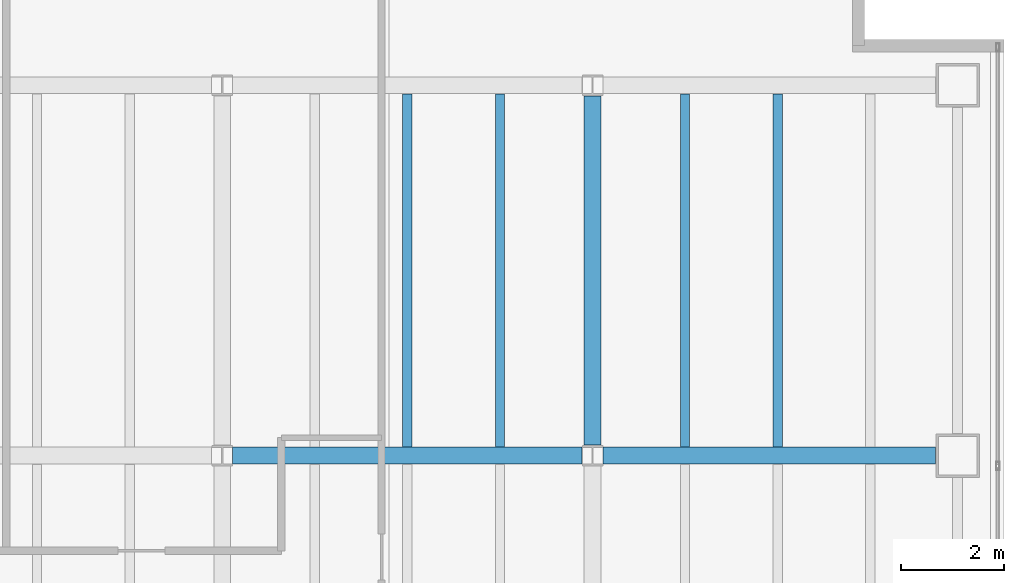
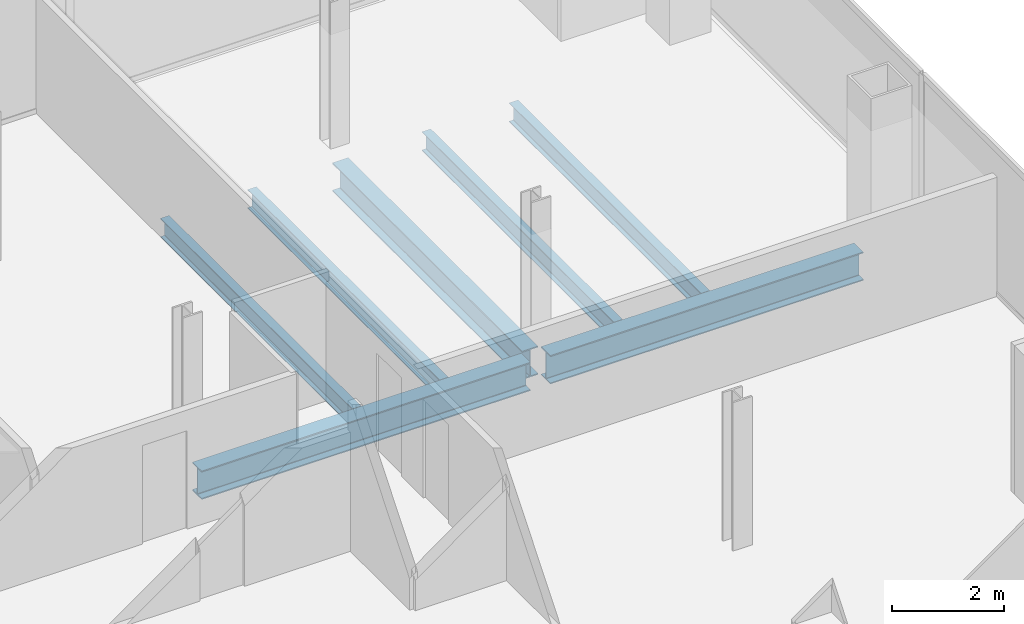
# One storey, part 13 of 23: 7 beams.
"""IFC4 building model written with IfcOpenShell, lengths in metres."""

from ifc_helpers import new_model, si_unit, direction, frame, origin, origin_2d, place, context, subcontext, project, spatial, i_section, extrude, material, material_profile, profile_set, type_object, element, save


model = new_model("IFC4")

# Units and contexts
model_context = context("Model", 3, precision=1e-05, world=origin(), true_north=direction((0.0, 1.0)))
body_context = subcontext(model_context, "Body", "Model", "MODEL_VIEW")
ifc_project = project(units=[si_unit("LENGTHUNIT", "METRE"), si_unit("AREAUNIT", "SQUARE_METRE"), si_unit("VOLUMEUNIT", "CUBIC_METRE"), si_unit("PLANEANGLEUNIT", "RADIAN"), si_unit("MASSUNIT", "GRAM", prefix="KILO")], contexts=[model_context])

# Site, building, storey
site_placement = place(None, origin())
site = spatial("IfcSite", under=ifc_project, at=site_placement, CompositionType="ELEMENT")
building_placement = place(site_placement, origin())
building = spatial("IfcBuilding", under=site, at=building_placement, Name="Cobrela Telecom Tower", CompositionType="ELEMENT")
storey_placement = place(building_placement, frame((0.0, 0.0, 173.25)))
storey = spatial("IfcBuildingStorey", under=building, at=storey_placement, Name="L43", CompositionType="ELEMENT", Elevation=173.25)

# Beams
ifc_material = material(Name="Steel ASTM A992 Grade 50", Category="steel")
ifc_material_profile_1 = material_profile(ifc_material, i_section(OverallWidth=0.327880859375, OverallDepth=0.6220703125, WebThickness=0.015380859375, FlangeThickness=0.0244140625, FilletRadius=0.014892578125, at=origin_2d()), Name="W24X131")
ifc_profile_set_1 = profile_set([ifc_material_profile_1], Name="Steel ASTM A992 Grade 50")
beam_type_1 = type_object("IfcBeamType", Name="BM-GIRD-06", PredefinedType="USERDEFINED", material=ifc_profile_set_1)
beam_1_placement = place(storey_placement, frame((29.00439453125, 14.39990234375, -0.571044921875), z_axis=(1.0, 0.0, 0.0), x_axis=(0.0, 1.0, 0.0)))
element("IfcBeam", 1, at=beam_1_placement, inside=storey, type_object=beam_type_1, Name="L43 Primary Girder X13", ObjectType="GIRDER", PredefinedType="USERDEFINED", context=body_context, shape_type="SweptSolid", body=[
    extrude(i_section(OverallWidth=0.327880859375, OverallDepth=0.6220703125, WebThickness=0.015380859375, FlangeThickness=0.0244140625, FilletRadius=0.014892578125, at=origin_2d()), origin(), (0.0, 0.0, 1.0), 6.791015625),
])
beam_2_placement = place(storey_placement, frame((36.20458984375, 14.39990234375, -0.571044921875), z_axis=(1.0, 0.0, 0.0), x_axis=(0.0, 1.0, 0.0)))
element("IfcBeam", 2, at=beam_2_placement, inside=storey, type_object=beam_type_1, Name="L43 Primary Girder X14", ObjectType="GIRDER", PredefinedType="USERDEFINED", context=body_context, shape_type="SweptSolid", body=[
    extrude(i_section(OverallWidth=0.327880859375, OverallDepth=0.6220703125, WebThickness=0.015380859375, FlangeThickness=0.0244140625, FilletRadius=0.014892578125, at=origin_2d()), origin(), (0.0, 0.0, 1.0), 6.46533203125),
])
beam_3_placement = place(storey_placement, frame((36.0, 14.6044921875, -0.571044921875), z_axis=(0.0, 1.0, 0.0), x_axis=(-1.0, 0.0, 0.0)))
element("IfcBeam", 3, at=beam_3_placement, inside=storey, type_object=beam_type_1, Name="L43 Primary Girder Y41", ObjectType="GIRDER", PredefinedType="USERDEFINED", context=body_context, shape_type="SweptSolid", body=[
    extrude(i_section(OverallWidth=0.327880859375, OverallDepth=0.6220703125, WebThickness=0.015380859375, FlangeThickness=0.0244140625, FilletRadius=0.014892578125, at=origin_2d()), origin(), (0.0, 0.0, 1.0), 6.791015625),
])
ifc_material_profile_2 = material_profile(ifc_material, i_section(OverallWidth=0.179931640625, OverallDepth=0.4169921875, WebThickness=0.010986328125, FlangeThickness=0.01806640625, FilletRadius=0.011962890625, at=origin_2d()), Name="W16X57")
ifc_profile_set_2 = profile_set([ifc_material_profile_2], Name="Steel ASTM A992 Grade 50")
beam_type_2 = type_object("IfcBeamType", Name="BM-JOIST-04", PredefinedType="JOIST", material=ifc_profile_set_2)
for number, where, z_axis, x_axis, name in (
    (4, (32.39990234375, 14.569091796875, -0.468505859375), (0.0, 1.0, 0.0), (-1.0, 0.0, 0.0), "L43 Secondary Composite Floor Beam J22"),
    (5, (34.199951171875, 14.569091796875, -0.468505859375), (0.0, 1.0, 0.0), (-1.0, 0.0, 0.0), "L43 Secondary Composite Floor Beam J24"),
    (6, (37.800048828125, 14.569091796875, -0.468505859375), (0.0, 1.0, 0.0), (-1.0, 0.0, 0.0), "L43 Secondary Composite Floor Beam J26"),
    (7, (39.60009765625, 14.569091796875, -0.468505859375), (0.0, 1.0, 0.0), (-1.0, 0.0, 0.0), "L43 Secondary Composite Floor Beam J28"),
):
    element("IfcBeam", number, at=place(storey_placement, frame(where, z_axis=z_axis, x_axis=x_axis)), inside=storey, type_object=beam_type_2, Name=name, PredefinedType="JOIST", context=body_context, shape_type="SweptSolid", body=[
        extrude(i_section(OverallWidth=0.179931640625, OverallDepth=0.4169921875, WebThickness=0.010986328125, FlangeThickness=0.01806640625, FilletRadius=0.011962890625, at=origin_2d()), origin(), (0.0, 0.0, 1.0), 6.86181640625),
    ])

save(model, "model.ifc")
